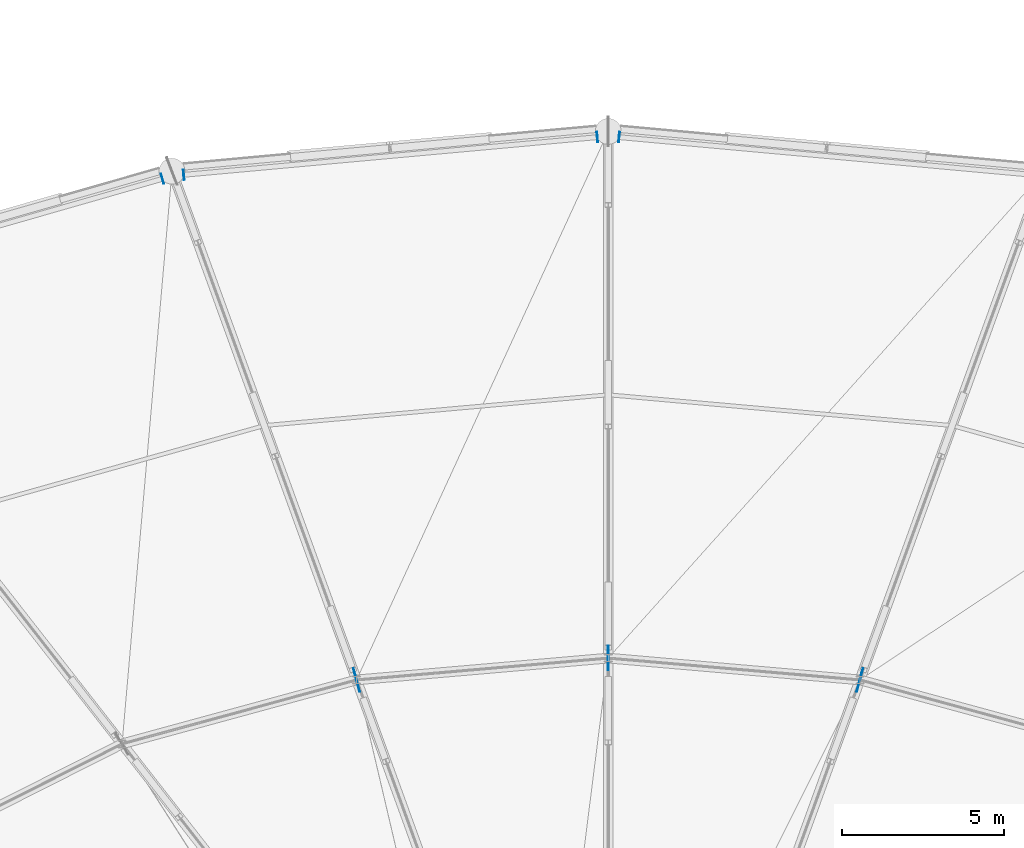
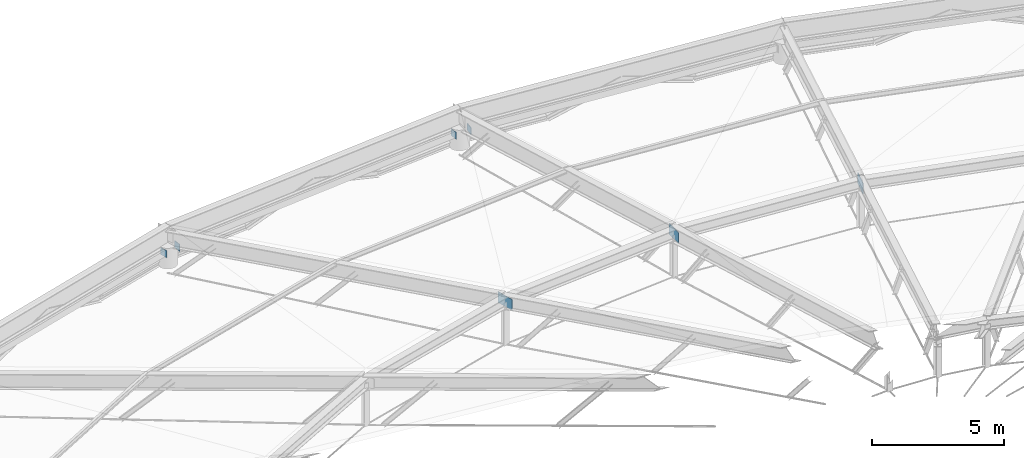
# One storey, part 65 of 83: 7 plates.
"""IFC4 building model written with IfcOpenShell, lengths in metres."""

from ifc_helpers import new_model, si_unit, direction, frame, origin, origin_2d, place, context, subcontext, project, spatial, rectangle, extrude, material, layer, layer_set, type_object, element, save


model = new_model("IFC4")

# Units and contexts
model_context = context("Model", 3, precision=1e-05, world=origin(), true_north=direction((0.0, 1.0)))
body_context = subcontext(model_context, "Body", "Model", "MODEL_VIEW")
ifc_project = project(units=[si_unit("LENGTHUNIT", "METRE"), si_unit("AREAUNIT", "SQUARE_METRE"), si_unit("VOLUMEUNIT", "CUBIC_METRE"), si_unit("PLANEANGLEUNIT", "RADIAN"), si_unit("MASSUNIT", "GRAM", prefix="KILO")], contexts=[model_context])

# Site, building, storey
site_placement = place(None, origin())
site = spatial("IfcSite", under=ifc_project, at=site_placement, CompositionType="ELEMENT")
building_placement = place(site_placement, origin())
building = spatial("IfcBuilding", under=site, at=building_placement, Name="Kivolera Central Railway Station", CompositionType="ELEMENT")
storey_placement = place(building_placement, frame((0.0, 0.0, 14.39990234375)))
storey = spatial("IfcBuildingStorey", under=building, at=storey_placement, Name="L03", CompositionType="ELEMENT", Elevation=14.39990234375)

# Plates
ifc_material = material(Name="Steel S355", Category="steel")
ifc_layer_1 = layer(ifc_material, 0.02490234375, Name="Steel S355")
ifc_layer_set_1 = layer_set([ifc_layer_1], Name="Steel S355")
plate_type_1 = type_object("IfcPlateType", Name="PLT-CAP-320", PredefinedType="SHEET", material=ifc_layer_set_1)
for number, where, z_axis, x_axis, name in (
    (1, (64.3359375, 125.822998046875, 0.735107421875), (-0.995873980244, 0.090746986022, 0.0), (-0.090746986022, -0.995873980244, 0.0), "Hollow section end-cap plate NP-CAP1"),
    (2, (63.6640625, 125.822998046875, 0.735107421875), (-0.995873980244, -0.090746986022, 0.0), (0.090746986022, -0.995873980244, 0.0), "Hollow section end-cap plate NP-CAP1"),
    (3, (50.904052734375, 124.660888671875, 0.735107421875), (-0.995873980244, -0.090746986022, 0.0), (0.090746986022, -0.995873980244, 0.0), "Hollow section end-cap plate NP-CAP1"),
    (4, (50.243896484375, 124.537109375, 0.735107421875), (-0.961251247527, -0.275673791151, 0.0), (0.275673791151, -0.961251247527, 0.0), "Hollow section end-cap plate NP-CAP1"),
):
    element("IfcPlate", number, at=place(storey_placement, frame(where, z_axis=z_axis, x_axis=x_axis)), inside=storey, type_object=plate_type_1, Name=name, PredefinedType="SHEET", context=body_context, shape_type="SweptSolid", body=[
        extrude(rectangle(XDim=0.320068359375, YDim=0.320068359375, at=origin_2d()), frame((0.0, 0.0, -0.012451171875)), (0.0, 0.0, 1.0), 0.02490234375),
    ])
ifc_layer_2 = layer(ifc_material, 0.02392578125, Name="Steel S355")
ifc_layer_set_2 = layer_set([ifc_layer_2], Name="Steel S355")
plate_type_2 = type_object("IfcPlateType", Name="PLT-GUS-750", PredefinedType="SHEET", material=ifc_layer_set_2)
for number, where, z_axis, x_axis, name in (
    (5, (71.764892578125, 109.076904296875, 5.530029296875), (0.0, 0.0, 1.0), (0.258819045103, 0.965925826289, 0.0), "Dome Ring Node Gusset Plate R1-06"),
    (6, (64.0, 109.75, 5.530029296875), (0.0, 0.0, 1.0), (0.0, 1.0, 0.0), "Dome Ring Node Gusset Plate R1-07"),
    (7, (56.235107421875, 109.076904296875, 5.530029296875), (0.0, 0.0, 1.0), (-0.258819045103, 0.965925826289, 0.0), "Dome Ring Node Gusset Plate R1-08"),
):
    element("IfcPlate", number, at=place(storey_placement, frame(where, z_axis=z_axis, x_axis=x_axis)), inside=storey, type_object=plate_type_2, Name=name, PredefinedType="SHEET", context=body_context, shape_type="SweptSolid", body=[
        extrude(rectangle(XDim=0.75, YDim=0.02392578125, at=origin_2d()), origin(), (0.0, 0.0, 1.0), 0.5),
    ])

save(model, "model.ifc")
